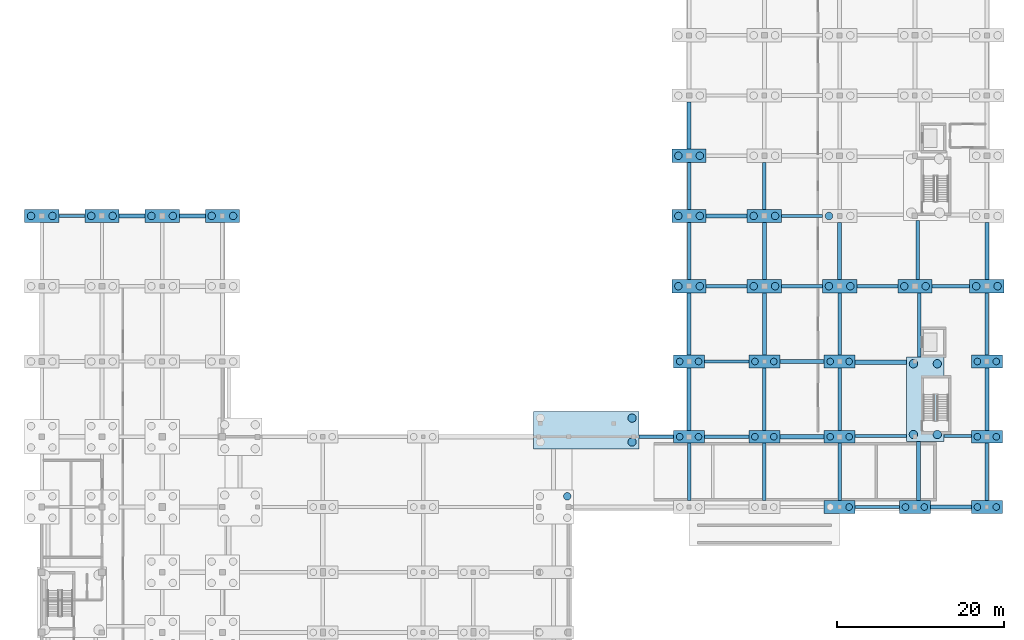
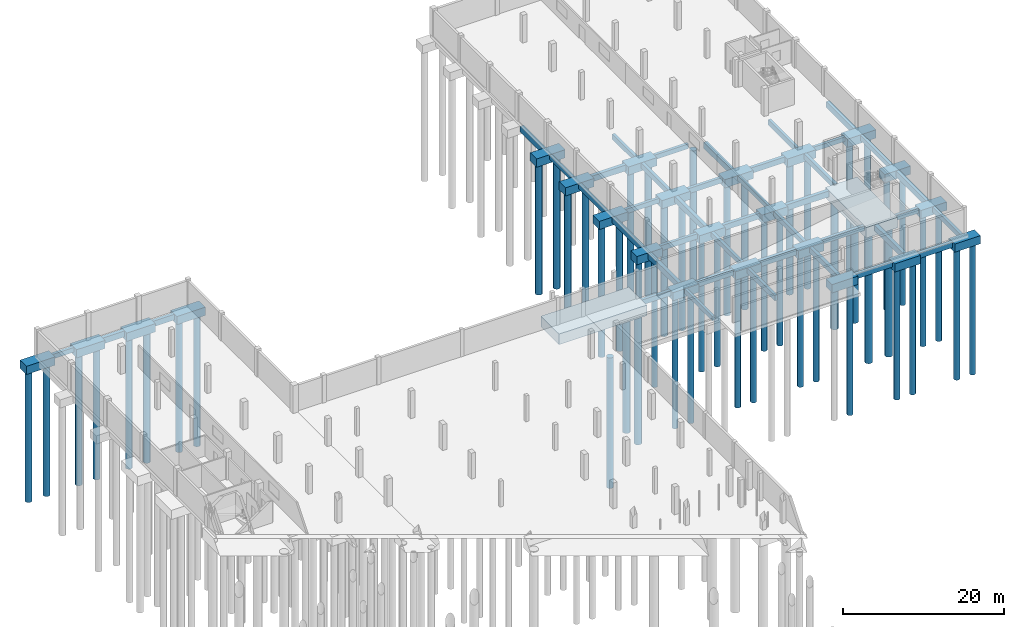
# One storey, part 5 of 34: 66 footings, 53 piles.
"""IFC4 building model written with IfcOpenShell, lengths in metres."""

from ifc_helpers import new_model, si_unit, direction, frame, origin, origin_2d, place, context, subcontext, project, spatial, rectangle, circle, extrude, material, material_profile, profile_set, type_object, element, save


model = new_model("IFC4")

# Units and contexts
model_context = context("Model", 3, precision=1e-05, world=origin(), true_north=direction((0.0, 1.0)))
body_context = subcontext(model_context, "Body", "Model", "MODEL_VIEW")
ifc_project = project(units=[si_unit("LENGTHUNIT", "METRE"), si_unit("AREAUNIT", "SQUARE_METRE"), si_unit("VOLUMEUNIT", "CUBIC_METRE"), si_unit("PLANEANGLEUNIT", "RADIAN"), si_unit("MASSUNIT", "GRAM", prefix="KILO")], contexts=[model_context])

# Site, building, storey
site_placement = place(None, origin())
site = spatial("IfcSite", under=ifc_project, at=site_placement, CompositionType="ELEMENT")
building_placement = place(site_placement, origin())
building = spatial("IfcBuilding", under=site, at=building_placement, Name="Vinh Khe Railworks Police Headquarters", CompositionType="ELEMENT")
storey_placement = place(building_placement, frame((0.0, 0.0, -4.199951171875)))
storey = spatial("IfcBuildingStorey", under=building, at=storey_placement, Name="B1", CompositionType="ELEMENT", Elevation=-4.199951171875)

# Piles
ifc_material = material(Name="Concrete C35/45 (B35)", Category="concrete")
ifc_material_profile_1 = material_profile(ifc_material, circle(Radius=0.5, at=origin_2d()), Name="BORED PILE D1000")
ifc_profile_set_1 = profile_set([ifc_material_profile_1], Name="Concrete C35/45 (B35)")
pile_type_1 = type_object("IfcPileType", Name="Bored Pile D1000", PredefinedType="BORED", material=ifc_profile_set_1)
for number, where, z_axis, x_axis, name in (
    (1, (71.179931640625, 103.77001953125, -1.949951171875), (0.0, 0.0, -1.0), (1.0, 0.0, 0.0), "Bored Pile BP100-257"),
    (2, (71.179931640625, 106.6298828125, -1.949951171875), (0.0, 0.0, -1.0), (1.0, 0.0, 0.0), "Bored Pile BP100-258"),
    (3, (104.820068359375, 104.669921875, -1.949951171875), (0.0, 0.0, -1.0), (1.0, 0.0, 0.0), "Bored Pile BP100-321"),
    (4, (104.820068359375, 113.1298828125, -1.949951171875), (0.0, 0.0, -1.0), (1.0, 0.0, 0.0), "Bored Pile BP100-322"),
    (5, (107.679931640625, 104.669921875, -1.949951171875), (0.0, 0.0, -1.0), (1.0, 0.0, 0.0), "Bored Pile BP100-323"),
    (6, (107.679931640625, 113.1298828125, -1.949951171875), (0.0, 0.0, -1.0), (1.0, 0.0, 0.0), "Bored Pile BP100-324"),
):
    element("IfcPile", number, at=place(storey_placement, frame(where, z_axis=z_axis, x_axis=x_axis)), inside=storey, type_object=pile_type_1, Name=name, PredefinedType="BORED", context=body_context, shape_type="SweptSolid", body=[
        extrude(circle(Radius=0.5, at=origin_2d()), origin(), (0.0, 0.0, 1.0), 19.60009765625),
    ])
ifc_material_profile_2 = material_profile(ifc_material, circle(Radius=0.39990234375, at=origin_2d()), Name="BORED PILE D800")
ifc_profile_set_2 = profile_set([ifc_material_profile_2], Name="Concrete C35/45 (B35)")
pile_type_2 = type_object("IfcPileType", Name="Bored Pile D800", PredefinedType="BORED", material=ifc_profile_set_2)
for number, where, z_axis, x_axis, name in (
    (7, (76.8701171875, 104.39990234375, -1.60009765625), (0.0, 0.0, -1.0), (1.0, 0.0, 0.0), "Bored Pile BP80-261"),
    (8, (79.1298828125, 104.39990234375, -1.60009765625), (0.0, 0.0, -1.0), (1.0, 0.0, 0.0), "Bored Pile BP80-262"),
    (9, (76.8701171875, 113.39990234375, -1.60009765625), (0.0, 0.0, -1.0), (1.0, 0.0, 0.0), "Bored Pile BP80-263"),
    (10, (79.1298828125, 113.39990234375, -1.60009765625), (0.0, 0.0, -1.0), (1.0, 0.0, 0.0), "Bored Pile BP80-264"),
    (11, (85.8701171875, 104.39990234375, -1.60009765625), (0.0, 0.0, -1.0), (1.0, 0.0, 0.0), "Bored Pile BP80-281"),
    (12, (88.1298828125, 104.39990234375, -1.60009765625), (0.0, 0.0, -1.0), (1.0, 0.0, 0.0), "Bored Pile BP80-282"),
    (13, (85.8701171875, 113.39990234375, -1.60009765625), (0.0, 0.0, -1.0), (1.0, 0.0, 0.0), "Bored Pile BP80-283"),
    (14, (88.1298828125, 113.39990234375, -1.60009765625), (0.0, 0.0, -1.0), (1.0, 0.0, 0.0), "Bored Pile BP80-284"),
    (15, (97.1298828125, 96.0, -1.60009765625), (0.0, 0.0, -1.0), (1.0, 0.0, 0.0), "Bored Pile BP80-300"),
    (16, (94.8701171875, 104.39990234375, -1.60009765625), (0.0, 0.0, -1.0), (1.0, 0.0, 0.0), "Bored Pile BP80-301"),
    (17, (97.1298828125, 104.39990234375, -1.60009765625), (0.0, 0.0, -1.0), (1.0, 0.0, 0.0), "Bored Pile BP80-302"),
    (18, (94.8701171875, 113.39990234375, -1.60009765625), (0.0, 0.0, -1.0), (1.0, 0.0, 0.0), "Bored Pile BP80-303"),
    (19, (97.1298828125, 113.39990234375, -1.60009765625), (0.0, 0.0, -1.0), (1.0, 0.0, 0.0), "Bored Pile BP80-304"),
    (20, (103.8701171875, 96.0, -1.60009765625), (0.0, 0.0, -1.0), (1.0, 0.0, 0.0), "Bored Pile BP80-319"),
    (21, (106.1298828125, 96.0, -1.60009765625), (0.0, 0.0, -1.0), (1.0, 0.0, 0.0), "Bored Pile BP80-320"),
    (22, (112.469970703125, 96.0, -1.60009765625), (0.0, 0.0, -1.0), (1.0, 0.0, 0.0), "Bored Pile BP80-339"),
    (23, (114.72998046875, 96.0, -1.60009765625), (0.0, 0.0, -1.0), (1.0, 0.0, 0.0), "Bored Pile BP80-340"),
    (24, (112.469970703125, 104.39990234375, -1.60009765625), (0.0, 0.0, -1.0), (1.0, 0.0, 0.0), "Bored Pile BP80-341"),
    (25, (114.72998046875, 104.39990234375, -1.60009765625), (0.0, 0.0, -1.0), (1.0, 0.0, 0.0), "Bored Pile BP80-342"),
    (26, (112.469970703125, 113.39990234375, -1.60009765625), (0.0, 0.0, -1.0), (1.0, 0.0, 0.0), "Bored Pile BP80-343"),
    (27, (114.72998046875, 113.39990234375, -1.60009765625), (0.0, 0.0, -1.0), (1.0, 0.0, 0.0), "Bored Pile BP80-344"),
):
    element("IfcPile", number, at=place(storey_placement, frame(where, z_axis=z_axis, x_axis=x_axis)), inside=storey, type_object=pile_type_2, Name=name, PredefinedType="BORED", context=body_context, shape_type="SweptSolid", body=[
        extrude(circle(Radius=0.39990234375, at=origin_2d()), origin(), (0.0, 0.0, 1.0), 19.949951171875),
    ])
ifc_material_profile_3 = material_profile(ifc_material, circle(Radius=0.449951171875, at=origin_2d()), Name="BORED PILE D900")
ifc_profile_set_3 = profile_set([ifc_material_profile_3], Name="Concrete C35/45 (B35)")
pile_type_3 = type_object("IfcPileType", Name="Bored Pile D900", PredefinedType="BORED", material=ifc_profile_set_3)
for number, where, z_axis, x_axis, name in (
    (28, (-0.679931640625, 130.800048828125, -1.60009765625), (0.0, 0.0, -1.0), (1.0, 0.0, 0.0), "Bored Pile BP90-047"),
    (29, (1.8798828125, 130.800048828125, -1.60009765625), (0.0, 0.0, -1.0), (1.0, 0.0, 0.0), "Bored Pile BP90-048"),
    (30, (6.52001953125, 130.800048828125, -1.60009765625), (0.0, 0.0, -1.0), (1.0, 0.0, 0.0), "Bored Pile BP90-087"),
    (31, (9.080078125, 130.800048828125, -1.60009765625), (0.0, 0.0, -1.0), (1.0, 0.0, 0.0), "Bored Pile BP90-088"),
    (32, (13.719970703125, 130.800048828125, -1.60009765625), (0.0, 0.0, -1.0), (1.0, 0.0, 0.0), "Bored Pile BP90-143"),
    (33, (16.280029296875, 130.800048828125, -1.60009765625), (0.0, 0.0, -1.0), (1.0, 0.0, 0.0), "Bored Pile BP90-144"),
    (34, (20.919921875, 130.800048828125, -1.60009765625), (0.0, 0.0, -1.0), (1.0, 0.0, 0.0), "Bored Pile BP90-185"),
    (35, (23.47998046875, 130.800048828125, -1.60009765625), (0.0, 0.0, -1.0), (1.0, 0.0, 0.0), "Bored Pile BP90-186"),
):
    element("IfcPile", number, at=place(storey_placement, frame(where, z_axis=z_axis, x_axis=x_axis)), inside=storey, type_object=pile_type_3, Name=name, PredefinedType="BORED", context=body_context, shape_type="SweptSolid", body=[
        extrude(circle(Radius=0.449951171875, at=origin_2d()), origin(), (0.0, 0.0, 1.0), 19.949951171875),
    ])
pile_placement = place(storey_placement, frame((63.429931640625, 97.280029296875, -1.75), z_axis=(0.0, 0.0, -1.0), x_axis=(1.0, 0.0, 0.0)))
element("IfcPile", 36, at=pile_placement, inside=storey, type_object=pile_type_3, Name="Bored Pile BP90-254", PredefinedType="BORED", context=body_context, shape_type="SweptSolid", body=[
    extrude(circle(Radius=0.449951171875, at=origin_2d()), origin(), (0.0, 0.0, 1.0), 19.800048828125),
])
for number, where, z_axis, x_axis, name in (
    (37, (76.719970703125, 122.39990234375, -1.60009765625), (0.0, 0.0, -1.0), (1.0, 0.0, 0.0), "Bored Pile BP90-265"),
    (38, (79.280029296875, 122.39990234375, -1.60009765625), (0.0, 0.0, -1.0), (1.0, 0.0, 0.0), "Bored Pile BP90-266"),
    (39, (76.719970703125, 130.800048828125, -1.60009765625), (0.0, 0.0, -1.0), (1.0, 0.0, 0.0), "Bored Pile BP90-267"),
    (40, (79.280029296875, 130.800048828125, -1.60009765625), (0.0, 0.0, -1.0), (1.0, 0.0, 0.0), "Bored Pile BP90-268"),
    (41, (76.719970703125, 138.0, -1.60009765625), (0.0, 0.0, -1.0), (1.0, 0.0, 0.0), "Bored Pile BP90-269"),
    (42, (79.280029296875, 138.0, -1.60009765625), (0.0, 0.0, -1.0), (1.0, 0.0, 0.0), "Bored Pile BP90-270"),
    (43, (85.719970703125, 122.39990234375, -1.60009765625), (0.0, 0.0, -1.0), (1.0, 0.0, 0.0), "Bored Pile BP90-285"),
    (44, (88.280029296875, 122.39990234375, -1.60009765625), (0.0, 0.0, -1.0), (1.0, 0.0, 0.0), "Bored Pile BP90-286"),
    (45, (85.719970703125, 130.800048828125, -1.60009765625), (0.0, 0.0, -1.0), (1.0, 0.0, 0.0), "Bored Pile BP90-287"),
    (46, (88.280029296875, 130.800048828125, -1.60009765625), (0.0, 0.0, -1.0), (1.0, 0.0, 0.0), "Bored Pile BP90-288"),
    (47, (94.719970703125, 122.39990234375, -1.60009765625), (0.0, 0.0, -1.0), (1.0, 0.0, 0.0), "Bored Pile BP90-305"),
    (48, (97.280029296875, 122.39990234375, -1.60009765625), (0.0, 0.0, -1.0), (1.0, 0.0, 0.0), "Bored Pile BP90-306"),
    (49, (94.719970703125, 130.800048828125, -1.60009765625), (0.0, 0.0, -1.0), (1.0, 0.0, 0.0), "Bored Pile BP90-307"),
    (50, (103.719970703125, 122.39990234375, -1.60009765625), (0.0, 0.0, -1.0), (1.0, 0.0, 0.0), "Bored Pile BP90-325"),
    (51, (106.280029296875, 122.39990234375, -1.60009765625), (0.0, 0.0, -1.0), (1.0, 0.0, 0.0), "Bored Pile BP90-326"),
    (52, (112.320068359375, 122.39990234375, -1.60009765625), (0.0, 0.0, -1.0), (1.0, 0.0, 0.0), "Bored Pile BP90-345"),
    (53, (114.8798828125, 122.39990234375, -1.60009765625), (0.0, 0.0, -1.0), (1.0, 0.0, 0.0), "Bored Pile BP90-346"),
):
    element("IfcPile", number, at=place(storey_placement, frame(where, z_axis=z_axis, x_axis=x_axis)), inside=storey, type_object=pile_type_3, Name=name, PredefinedType="BORED", context=body_context, shape_type="SweptSolid", body=[
        extrude(circle(Radius=0.449951171875, at=origin_2d()), origin(), (0.0, 0.0, 1.0), 19.949951171875),
    ])

# Footings
ifc_material_profile_4 = material_profile(ifc_material, rectangle(XDim=0.39990234375, YDim=0.699951171875, at=origin_2d()), Name="RC 400x700")
ifc_profile_set_4 = profile_set([ifc_material_profile_4], Name="Concrete C35/45 (B35)")
footing_type_1 = type_object("IfcFootingType", Name="Ground Tie Beam 400x700", PredefinedType="FOOTING_BEAM", material=ifc_profile_set_4)
footing_1_placement = place(storey_placement, frame((2.64990234375, 130.800048828125, -0.800048828125), z_axis=(1.0, 0.0, 0.0), x_axis=(0.0, 1.0, 0.0)))
element("IfcFooting", 54, at=footing_1_placement, inside=storey, type_object=footing_type_1, Name="Ground Tie Beam FTG-GB-B1-X027", PredefinedType="FOOTING_BEAM", context=body_context, shape_type="SweptSolid", body=[
    extrude(rectangle(XDim=0.39990234375, YDim=0.699951171875, at=origin_2d()), origin(), (0.0, 0.0, 1.0), 3.10009765625),
])
footing_2_placement = place(storey_placement, frame((78.0, 96.75, -0.800048828125), z_axis=(0.0, 1.0, 0.0), x_axis=(-1.0, 0.0, 0.0)))
element("IfcFooting", 55, at=footing_2_placement, inside=storey, type_object=footing_type_1, Name="Ground Tie Beam FTG-GB-B1-Y149", PredefinedType="FOOTING_BEAM", context=body_context, shape_type="SweptSolid", body=[
    extrude(rectangle(XDim=0.39990234375, YDim=0.699951171875, at=origin_2d()), origin(), (0.0, 0.0, 1.0), 6.89990234375),
])
footing_3_placement = place(storey_placement, frame((80.050048828125, 122.39990234375, -0.800048828125), z_axis=(1.0, 0.0, 0.0), x_axis=(0.0, 1.0, 0.0)))
element("IfcFooting", 56, at=footing_3_placement, inside=storey, type_object=footing_type_1, Name="Ground Tie Beam FTG-GB-B1-X154", PredefinedType="FOOTING_BEAM", context=body_context, shape_type="SweptSolid", body=[
    extrude(rectangle(XDim=0.39990234375, YDim=0.699951171875, at=origin_2d()), origin(), (0.0, 0.0, 1.0), 4.89990234375),
])
footing_4_placement = place(storey_placement, frame((78.0, 131.60009765625, -0.800048828125), z_axis=(0.0, 1.0, 0.0), x_axis=(-1.0, 0.0, 0.0)))
element("IfcFooting", 57, at=footing_4_placement, inside=storey, type_object=footing_type_1, Name="Ground Tie Beam FTG-GB-B1-Y157", PredefinedType="FOOTING_BEAM", context=body_context, shape_type="SweptSolid", body=[
    extrude(rectangle(XDim=0.39990234375, YDim=0.699951171875, at=origin_2d()), origin(), (0.0, 0.0, 1.0), 5.599853515625),
])
footing_5_placement = place(storey_placement, frame((87.0, 105.14990234375, -0.800048828125), z_axis=(0.0, 1.0, 0.0), x_axis=(-1.0, 0.0, 0.0)))
element("IfcFooting", 58, at=footing_5_placement, inside=storey, type_object=footing_type_1, Name="Ground Tie Beam FTG-GB-B1-Y170", PredefinedType="FOOTING_BEAM", context=body_context, shape_type="SweptSolid", body=[
    extrude(rectangle(XDim=0.39990234375, YDim=0.699951171875, at=origin_2d()), origin(), (0.0, 0.0, 1.0), 7.5),
])
footing_6_placement = place(storey_placement, frame((89.050048828125, 130.800048828125, -0.800048828125), z_axis=(1.0, 0.0, 0.0), x_axis=(0.0, 1.0, 0.0)))
element("IfcFooting", 59, at=footing_6_placement, inside=storey, type_object=footing_type_1, Name="Ground Tie Beam FTG-GB-B1-X175", PredefinedType="FOOTING_BEAM", context=body_context, shape_type="SweptSolid", body=[
    extrude(rectangle(XDim=0.39990234375, YDim=0.699951171875, at=origin_2d()), origin(), (0.0, 0.0, 1.0), 4.89990234375),
])
footing_7_placement = place(storey_placement, frame((97.85009765625, 104.5, -0.800048828125), z_axis=(1.0, 0.0, 0.0), x_axis=(0.0, 1.0, 0.0)))
element("IfcFooting", 60, at=footing_7_placement, inside=storey, type_object=footing_type_1, Name="Ground Tie Beam FTG-GB-B1-X188", PredefinedType="FOOTING_BEAM", context=body_context, shape_type="SweptSolid", body=[
    extrude(rectangle(XDim=0.39990234375, YDim=0.699951171875, at=origin_2d()), origin(), (0.0, 0.0, 1.0), 6.14990234375),
])
footing_8_placement = place(storey_placement, frame((96.0, 114.14990234375, -0.800048828125), z_axis=(0.0, 1.0, 0.0), x_axis=(-1.0, 0.0, 0.0)))
element("IfcFooting", 61, at=footing_8_placement, inside=storey, type_object=footing_type_1, Name="Ground Tie Beam FTG-GB-B1-Y191", PredefinedType="FOOTING_BEAM", context=body_context, shape_type="SweptSolid", body=[
    extrude(rectangle(XDim=0.39990234375, YDim=0.699951171875, at=origin_2d()), origin(), (0.0, 0.0, 1.0), 7.4501953125),
])
footing_9_placement = place(storey_placement, frame((107.050048828125, 122.39990234375, -0.800048828125), z_axis=(1.0, 0.0, 0.0), x_axis=(0.0, 1.0, 0.0)))
element("IfcFooting", 62, at=footing_9_placement, inside=storey, type_object=footing_type_1, Name="Ground Tie Beam FTG-GB-B1-X209", PredefinedType="FOOTING_BEAM", context=body_context, shape_type="SweptSolid", body=[
    extrude(rectangle(XDim=0.39990234375, YDim=0.699951171875, at=origin_2d()), origin(), (0.0, 0.0, 1.0), 4.5),
])
ifc_material_profile_5 = material_profile(ifc_material, rectangle(XDim=0.39990234375, YDim=0.800048828125, at=origin_2d()), Name="RC 400x800")
ifc_profile_set_5 = profile_set([ifc_material_profile_5], Name="Concrete C35/45 (B35)")
footing_type_2 = type_object("IfcFootingType", Name="Ground Tie Beam 400x800", PredefinedType="FOOTING_BEAM", material=ifc_profile_set_5)
footing_10_placement = place(storey_placement, frame((72.0, 104.39990234375, -0.85009765625), z_axis=(1.0, 0.0, 0.0), x_axis=(0.0, 1.0, 0.0)))
element("IfcFooting", 63, at=footing_10_placement, inside=storey, type_object=footing_type_2, Name="Ground Tie Beam FTG-GB-B1-X147", PredefinedType="FOOTING_BEAM", context=body_context, shape_type="SweptSolid", body=[
    extrude(rectangle(XDim=0.39990234375, YDim=0.800048828125, at=origin_2d()), origin(), (0.0, 0.0, 1.0), 4.14990234375),
])
footing_11_placement = place(storey_placement, frame((79.85009765625, 113.39990234375, -0.85009765625), z_axis=(1.0, 0.0, 0.0), x_axis=(0.0, 1.0, 0.0)))
element("IfcFooting", 64, at=footing_11_placement, inside=storey, type_object=footing_type_2, Name="Ground Tie Beam FTG-GB-B1-X152", PredefinedType="FOOTING_BEAM", context=body_context, shape_type="SweptSolid", body=[
    extrude(rectangle(XDim=0.39990234375, YDim=0.800048828125, at=origin_2d()), origin(), (0.0, 0.0, 1.0), 5.2998046875),
])
footing_12_placement = place(storey_placement, frame((78.0, 123.199951171875, -0.85009765625), z_axis=(0.0, 1.0, 0.0), x_axis=(-1.0, 0.0, 0.0)))
element("IfcFooting", 65, at=footing_12_placement, inside=storey, type_object=footing_type_2, Name="Ground Tie Beam FTG-GB-B1-Y155", PredefinedType="FOOTING_BEAM", context=body_context, shape_type="SweptSolid", body=[
    extrude(rectangle(XDim=0.39990234375, YDim=0.800048828125, at=origin_2d()), origin(), (0.0, 0.0, 1.0), 6.800048828125),
])
footing_13_placement = place(storey_placement, frame((87.0, 96.75, -0.85009765625), z_axis=(0.0, 1.0, 0.0), x_axis=(-1.0, 0.0, 0.0)))
element("IfcFooting", 66, at=footing_13_placement, inside=storey, type_object=footing_type_2, Name="Ground Tie Beam FTG-GB-B1-Y168", PredefinedType="FOOTING_BEAM", context=body_context, shape_type="SweptSolid", body=[
    extrude(rectangle(XDim=0.39990234375, YDim=0.800048828125, at=origin_2d()), origin(), (0.0, 0.0, 1.0), 6.89990234375),
])
footing_14_placement = place(storey_placement, frame((89.050048828125, 122.39990234375, -0.85009765625), z_axis=(1.0, 0.0, 0.0), x_axis=(0.0, 1.0, 0.0)))
element("IfcFooting", 67, at=footing_14_placement, inside=storey, type_object=footing_type_2, Name="Ground Tie Beam FTG-GB-B1-X173", PredefinedType="FOOTING_BEAM", context=body_context, shape_type="SweptSolid", body=[
    extrude(rectangle(XDim=0.39990234375, YDim=0.800048828125, at=origin_2d()), origin(), (0.0, 0.0, 1.0), 4.89990234375),
])
footing_15_placement = place(storey_placement, frame((87.0, 131.60009765625, -0.85009765625), z_axis=(0.0, 1.0, 0.0), x_axis=(-1.0, 0.0, 0.0)))
element("IfcFooting", 68, at=footing_15_placement, inside=storey, type_object=footing_type_2, Name="Ground Tie Beam FTG-GB-B1-Y176", PredefinedType="FOOTING_BEAM", context=body_context, shape_type="SweptSolid", body=[
    extrude(rectangle(XDim=0.39990234375, YDim=0.800048828125, at=origin_2d()), origin(), (0.0, 0.0, 1.0), 5.599853515625),
])
footing_16_placement = place(storey_placement, frame((97.85009765625, 96.0, -0.85009765625), z_axis=(1.0, 0.0, 0.0), x_axis=(0.0, 1.0, 0.0)))
element("IfcFooting", 69, at=footing_16_placement, inside=storey, type_object=footing_type_2, Name="Ground Tie Beam FTG-GB-B1-X186", PredefinedType="FOOTING_BEAM", context=body_context, shape_type="SweptSolid", body=[
    extrude(rectangle(XDim=0.39990234375, YDim=0.800048828125, at=origin_2d()), origin(), (0.0, 0.0, 1.0), 5.2998046875),
])
footing_17_placement = place(storey_placement, frame((96.0, 105.14990234375, -0.85009765625), z_axis=(0.0, 1.0, 0.0), x_axis=(-1.0, 0.0, 0.0)))
element("IfcFooting", 70, at=footing_17_placement, inside=storey, type_object=footing_type_2, Name="Ground Tie Beam FTG-GB-B1-Y189", PredefinedType="FOOTING_BEAM", context=body_context, shape_type="SweptSolid", body=[
    extrude(rectangle(XDim=0.39990234375, YDim=0.800048828125, at=origin_2d()), origin(), (0.0, 0.0, 1.0), 7.5),
])
footing_18_placement = place(storey_placement, frame((108.5, 104.5, -0.85009765625), z_axis=(1.0, 0.0, 0.0), x_axis=(0.0, 1.0, 0.0)))
element("IfcFooting", 71, at=footing_18_placement, inside=storey, type_object=footing_type_2, Name="Ground Tie Beam FTG-GB-B1-X207", PredefinedType="FOOTING_BEAM", context=body_context, shape_type="SweptSolid", body=[
    extrude(rectangle(XDim=0.39990234375, YDim=0.800048828125, at=origin_2d()), origin(), (0.0, 0.0, 1.0), 3.25),
])
footing_19_placement = place(storey_placement, frame((105.35009765625, 123.199951171875, -0.85009765625), z_axis=(0.0, 1.0, 0.0), x_axis=(-1.0, 0.0, 0.0)))
element("IfcFooting", 72, at=footing_19_placement, inside=storey, type_object=footing_type_2, Name="Ground Tie Beam FTG-GB-B1-Y210", PredefinedType="FOOTING_BEAM", context=body_context, shape_type="SweptSolid", body=[
    extrude(rectangle(XDim=0.39990234375, YDim=0.800048828125, at=origin_2d()), origin(), (0.0, 0.0, 1.0), 7.050048828125),
])
footing_20_placement = place(storey_placement, frame((113.60009765625, 96.75, -0.85009765625), z_axis=(0.0, 1.0, 0.0), x_axis=(-1.0, 0.0, 0.0)))
element("IfcFooting", 73, at=footing_20_placement, inside=storey, type_object=footing_type_2, Name="Ground Tie Beam FTG-GB-B1-Y220", PredefinedType="FOOTING_BEAM", context=body_context, shape_type="SweptSolid", body=[
    extrude(rectangle(XDim=0.39990234375, YDim=0.800048828125, at=origin_2d()), origin(), (0.0, 0.0, 1.0), 6.89990234375),
])
footing_21_placement = place(storey_placement, frame((113.60009765625, 114.14990234375, -0.85009765625), z_axis=(0.0, 1.0, 0.0), x_axis=(-1.0, 0.0, 0.0)))
element("IfcFooting", 74, at=footing_21_placement, inside=storey, type_object=footing_type_2, Name="Ground Tie Beam FTG-GB-B1-Y222", PredefinedType="FOOTING_BEAM", context=body_context, shape_type="SweptSolid", body=[
    extrude(rectangle(XDim=0.39990234375, YDim=0.800048828125, at=origin_2d()), origin(), (0.0, 0.0, 1.0), 7.4501953125),
])
ifc_material_profile_6 = material_profile(ifc_material, rectangle(XDim=0.449951171875, YDim=0.85009765625, at=origin_2d()), Name="RC 450x850")
ifc_profile_set_6 = profile_set([ifc_material_profile_6], Name="Concrete C35/45 (B35)")
footing_type_3 = type_object("IfcFootingType", Name="Ground Tie Beam 450x850", PredefinedType="FOOTING_BEAM", material=ifc_profile_set_6)
footing_22_placement = place(storey_placement, frame((17.050048828125, 130.800048828125, -0.875), z_axis=(1.0, 0.0, 0.0), x_axis=(0.0, 1.0, 0.0)))
element("IfcFooting", 75, at=footing_22_placement, inside=storey, type_object=footing_type_3, Name="Ground Tie Beam FTG-GB-B1-X081", PredefinedType="FOOTING_BEAM", context=body_context, shape_type="SweptSolid", body=[
    extrude(rectangle(XDim=0.449951171875, YDim=0.85009765625, at=origin_2d()), origin(), (0.0, 0.0, 1.0), 3.099853515625),
])
footing_23_placement = place(storey_placement, frame((79.85009765625, 104.39990234375, -0.875), z_axis=(1.0, 0.0, 0.0), x_axis=(0.0, 1.0, 0.0)))
element("IfcFooting", 76, at=footing_23_placement, inside=storey, type_object=footing_type_3, Name="Ground Tie Beam FTG-GB-B1-X150", PredefinedType="FOOTING_BEAM", context=body_context, shape_type="SweptSolid", body=[
    extrude(rectangle(XDim=0.449951171875, YDim=0.85009765625, at=origin_2d()), origin(), (0.0, 0.0, 1.0), 5.2998046875),
])
footing_24_placement = place(storey_placement, frame((78.0, 114.14990234375, -0.875), z_axis=(0.0, 1.0, 0.0), x_axis=(-1.0, 0.0, 0.0)))
element("IfcFooting", 77, at=footing_24_placement, inside=storey, type_object=footing_type_3, Name="Ground Tie Beam FTG-GB-B1-Y153", PredefinedType="FOOTING_BEAM", context=body_context, shape_type="SweptSolid", body=[
    extrude(rectangle(XDim=0.449951171875, YDim=0.85009765625, at=origin_2d()), origin(), (0.0, 0.0, 1.0), 7.4501953125),
])
footing_25_placement = place(storey_placement, frame((88.85009765625, 113.39990234375, -0.875), z_axis=(1.0, 0.0, 0.0), x_axis=(0.0, 1.0, 0.0)))
element("IfcFooting", 78, at=footing_25_placement, inside=storey, type_object=footing_type_3, Name="Ground Tie Beam FTG-GB-B1-X171", PredefinedType="FOOTING_BEAM", context=body_context, shape_type="SweptSolid", body=[
    extrude(rectangle(XDim=0.449951171875, YDim=0.85009765625, at=origin_2d()), origin(), (0.0, 0.0, 1.0), 5.2998046875),
])
footing_26_placement = place(storey_placement, frame((87.0, 123.199951171875, -0.875), z_axis=(0.0, 1.0, 0.0), x_axis=(-1.0, 0.0, 0.0)))
element("IfcFooting", 79, at=footing_26_placement, inside=storey, type_object=footing_type_3, Name="Ground Tie Beam FTG-GB-B1-Y174", PredefinedType="FOOTING_BEAM", context=body_context, shape_type="SweptSolid", body=[
    extrude(rectangle(XDim=0.449951171875, YDim=0.85009765625, at=origin_2d()), origin(), (0.0, 0.0, 1.0), 6.800048828125),
])
footing_27_placement = place(storey_placement, frame((96.0, 96.75, -0.875), z_axis=(0.0, 1.0, 0.0), x_axis=(-1.0, 0.0, 0.0)))
element("IfcFooting", 80, at=footing_27_placement, inside=storey, type_object=footing_type_3, Name="Ground Tie Beam FTG-GB-B1-Y187", PredefinedType="FOOTING_BEAM", context=body_context, shape_type="SweptSolid", body=[
    extrude(rectangle(XDim=0.449951171875, YDim=0.85009765625, at=origin_2d()), origin(), (0.0, 0.0, 1.0), 6.89990234375),
])
for number, where, z_axis, x_axis, name in (
    (81, (98.050048828125, 122.39990234375, -0.875), (1.0, 0.0, 0.0), (0.0, 1.0, 0.0), "Ground Tie Beam FTG-GB-B1-X192"),
    (82, (106.85009765625, 96.0, -0.875), (1.0, 0.0, 0.0), (0.0, 1.0, 0.0), "Ground Tie Beam FTG-GB-B1-X205"),
):
    element("IfcFooting", number, at=place(storey_placement, frame(where, z_axis=z_axis, x_axis=x_axis)), inside=storey, type_object=footing_type_3, Name=name, PredefinedType="FOOTING_BEAM", context=body_context, shape_type="SweptSolid", body=[
        extrude(rectangle(XDim=0.449951171875, YDim=0.85009765625, at=origin_2d()), origin(), (0.0, 0.0, 1.0), 4.89990234375),
    ])
footing_28_placement = place(storey_placement, frame((105.52490234375, 113.949951171875, -0.875), z_axis=(0.0, 1.0, 0.0), x_axis=(-1.0, 0.0, 0.0)))
element("IfcFooting", 83, at=footing_28_placement, inside=storey, type_object=footing_type_3, Name="Ground Tie Beam FTG-GB-B1-Y208", PredefinedType="FOOTING_BEAM", context=body_context, shape_type="SweptSolid", body=[
    extrude(rectangle(XDim=0.449951171875, YDim=0.85009765625, at=origin_2d()), origin(), (0.0, 0.0, 1.0), 7.650146484375),
])
ifc_material_profile_7 = material_profile(ifc_material, rectangle(XDim=0.5, YDim=0.89990234375, at=origin_2d()), Name="RC 500x900")
ifc_profile_set_7 = profile_set([ifc_material_profile_7], Name="Concrete C35/45 (B35)")
footing_type_4 = type_object("IfcFootingType", Name="Ground Tie Beam 500x900", PredefinedType="FOOTING_BEAM", material=ifc_profile_set_7)
footing_29_placement = place(storey_placement, frame((9.85009765625, 130.800048828125, -0.900146484375), z_axis=(1.0, 0.0, 0.0), x_axis=(0.0, 1.0, 0.0)))
element("IfcFooting", 84, at=footing_29_placement, inside=storey, type_object=footing_type_4, Name="Ground Tie Beam FTG-GB-B1-X050", PredefinedType="FOOTING_BEAM", context=body_context, shape_type="SweptSolid", body=[
    extrude(rectangle(XDim=0.5, YDim=0.89990234375, at=origin_2d()), origin(), (0.0, 0.0, 1.0), 3.099853515625),
])
footing_30_placement = place(storey_placement, frame((78.0, 105.14990234375, -0.900146484375), z_axis=(0.0, 1.0, 0.0), x_axis=(-1.0, 0.0, 0.0)))
element("IfcFooting", 85, at=footing_30_placement, inside=storey, type_object=footing_type_4, Name="Ground Tie Beam FTG-GB-B1-Y151", PredefinedType="FOOTING_BEAM", context=body_context, shape_type="SweptSolid", body=[
    extrude(rectangle(XDim=0.5, YDim=0.89990234375, at=origin_2d()), origin(), (0.0, 0.0, 1.0), 7.5),
])
footing_31_placement = place(storey_placement, frame((80.050048828125, 130.800048828125, -0.900146484375), z_axis=(1.0, 0.0, 0.0), x_axis=(0.0, 1.0, 0.0)))
element("IfcFooting", 86, at=footing_31_placement, inside=storey, type_object=footing_type_4, Name="Ground Tie Beam FTG-GB-B1-X156", PredefinedType="FOOTING_BEAM", context=body_context, shape_type="SweptSolid", body=[
    extrude(rectangle(XDim=0.5, YDim=0.89990234375, at=origin_2d()), origin(), (0.0, 0.0, 1.0), 4.89990234375),
])
footing_32_placement = place(storey_placement, frame((78.0, 138.800048828125, -0.900146484375), z_axis=(0.0, 1.0, 0.0), x_axis=(-1.0, 0.0, 0.0)))
element("IfcFooting", 87, at=footing_32_placement, inside=storey, type_object=footing_type_4, Name="Ground Tie Beam FTG-GB-B1-Y159", PredefinedType="FOOTING_BEAM", context=body_context, shape_type="SweptSolid", body=[
    extrude(rectangle(XDim=0.5, YDim=0.89990234375, at=origin_2d()), origin(), (0.0, 0.0, 1.0), 5.599853515625),
])
footing_33_placement = place(storey_placement, frame((88.85009765625, 104.39990234375, -0.900146484375), z_axis=(1.0, 0.0, 0.0), x_axis=(0.0, 1.0, 0.0)))
element("IfcFooting", 88, at=footing_33_placement, inside=storey, type_object=footing_type_4, Name="Ground Tie Beam FTG-GB-B1-X169", PredefinedType="FOOTING_BEAM", context=body_context, shape_type="SweptSolid", body=[
    extrude(rectangle(XDim=0.5, YDim=0.89990234375, at=origin_2d()), origin(), (0.0, 0.0, 1.0), 5.2998046875),
])
footing_34_placement = place(storey_placement, frame((87.0, 114.14990234375, -0.900146484375), z_axis=(0.0, 1.0, 0.0), x_axis=(-1.0, 0.0, 0.0)))
element("IfcFooting", 89, at=footing_34_placement, inside=storey, type_object=footing_type_4, Name="Ground Tie Beam FTG-GB-B1-Y172", PredefinedType="FOOTING_BEAM", context=body_context, shape_type="SweptSolid", body=[
    extrude(rectangle(XDim=0.5, YDim=0.89990234375, at=origin_2d()), origin(), (0.0, 0.0, 1.0), 7.4501953125),
])
footing_35_placement = place(storey_placement, frame((97.85009765625, 113.300048828125, -0.900146484375), z_axis=(1.0, 0.0, 0.0), x_axis=(0.0, 1.0, 0.0)))
element("IfcFooting", 90, at=footing_35_placement, inside=storey, type_object=footing_type_4, Name="Ground Tie Beam FTG-GB-B1-X190", PredefinedType="FOOTING_BEAM", context=body_context, shape_type="SweptSolid", body=[
    extrude(rectangle(XDim=0.5, YDim=0.89990234375, at=origin_2d()), origin(), (0.0, 0.0, 1.0), 6.14990234375),
])
footing_36_placement = place(storey_placement, frame((96.0, 123.199951171875, -0.900146484375), z_axis=(0.0, 1.0, 0.0), x_axis=(-1.0, 0.0, 0.0)))
element("IfcFooting", 91, at=footing_36_placement, inside=storey, type_object=footing_type_4, Name="Ground Tie Beam FTG-GB-B1-Y193", PredefinedType="FOOTING_BEAM", context=body_context, shape_type="SweptSolid", body=[
    extrude(rectangle(XDim=0.5, YDim=0.89990234375, at=origin_2d()), origin(), (0.0, 0.0, 1.0), 6.800048828125),
])
footing_37_placement = place(storey_placement, frame((105.425048828125, 96.75, -0.900146484375), z_axis=(0.0, 1.0, 0.0), x_axis=(-1.0, 0.0, 0.0)))
element("IfcFooting", 92, at=footing_37_placement, inside=storey, type_object=footing_type_4, Name="Ground Tie Beam FTG-GB-B1-Y206", PredefinedType="FOOTING_BEAM", context=body_context, shape_type="SweptSolid", body=[
    extrude(rectangle(XDim=0.5, YDim=0.89990234375, at=origin_2d()), origin(), (0.0, 0.0, 1.0), 7.10009765625),
])
footing_38_placement = place(storey_placement, frame((113.60009765625, 105.14990234375, -0.900146484375), z_axis=(0.0, 1.0, 0.0), x_axis=(-1.0, 0.0, 0.0)))
element("IfcFooting", 93, at=footing_38_placement, inside=storey, type_object=footing_type_4, Name="Ground Tie Beam FTG-GB-B1-Y221", PredefinedType="FOOTING_BEAM", context=body_context, shape_type="SweptSolid", body=[
    extrude(rectangle(XDim=0.5, YDim=0.89990234375, at=origin_2d()), origin(), (0.0, 0.0, 1.0), 7.5),
])
footing_39_placement = place(storey_placement, frame((113.60009765625, 123.199951171875, -0.900146484375), z_axis=(0.0, 1.0, 0.0), x_axis=(-1.0, 0.0, 0.0)))
element("IfcFooting", 94, at=footing_39_placement, inside=storey, type_object=footing_type_4, Name="Ground Tie Beam FTG-GB-B1-Y223", PredefinedType="FOOTING_BEAM", context=body_context, shape_type="SweptSolid", body=[
    extrude(rectangle(XDim=0.5, YDim=0.89990234375, at=origin_2d()), origin(), (0.0, 0.0, 1.0), 6.800048828125),
])
footing_type_5 = type_object("IfcFootingType", Name="Pile Cap 12600x4500x1600", PredefinedType="PILE_CAP", material=ifc_material)
footing_40_placement = place(storey_placement, frame((65.699951171875, 105.199951171875, -2.050048828125), z_axis=(0.0, 0.0, 1.0), x_axis=(1.0, 0.0, 0.0)))
element("IfcFooting", 95, at=footing_40_placement, inside=storey, type_object=footing_type_5, Name="Pile Cap PC-083", PredefinedType="PILE_CAP", context=body_context, shape_type="SweptSolid", body=[
    extrude(rectangle(XDim=12.60009765625, YDim=4.5, at=origin_2d()), origin(), (0.0, 0.0, 1.0), 1.60009765625),
])
footing_type_6 = type_object("IfcFootingType", Name="Pile Cap 3700x1500x1250", PredefinedType="PILE_CAP", material=ifc_material)
for number, where, z_axis, x_axis, name in (
    (96, (78.0, 104.39990234375, -1.699951171875), (0.0, 0.0, 1.0), (1.0, 0.0, 0.0), "Pile Cap PC-085"),
    (97, (78.0, 113.39990234375, -1.699951171875), (0.0, 0.0, 1.0), (1.0, 0.0, 0.0), "Pile Cap PC-086"),
    (98, (87.0, 104.39990234375, -1.699951171875), (0.0, 0.0, 1.0), (1.0, 0.0, 0.0), "Pile Cap PC-095"),
    (99, (87.0, 113.39990234375, -1.699951171875), (0.0, 0.0, 1.0), (1.0, 0.0, 0.0), "Pile Cap PC-096"),
    (100, (96.0, 96.0, -1.699951171875), (0.0, 0.0, 1.0), (1.0, 0.0, 0.0), "Pile Cap PC-104"),
    (101, (96.0, 104.39990234375, -1.699951171875), (0.0, 0.0, 1.0), (1.0, 0.0, 0.0), "Pile Cap PC-105"),
    (102, (96.0, 113.39990234375, -1.699951171875), (0.0, 0.0, 1.0), (1.0, 0.0, 0.0), "Pile Cap PC-106"),
    (103, (105.0, 96.0, -1.699951171875), (0.0, 0.0, 1.0), (1.0, 0.0, 0.0), "Pile Cap PC-114"),
    (104, (113.60009765625, 96.0, -1.699951171875), (0.0, 0.0, 1.0), (1.0, 0.0, 0.0), "Pile Cap PC-122"),
    (105, (113.60009765625, 104.39990234375, -1.699951171875), (0.0, 0.0, 1.0), (1.0, 0.0, 0.0), "Pile Cap PC-123"),
    (106, (113.60009765625, 113.39990234375, -1.699951171875), (0.0, 0.0, 1.0), (1.0, 0.0, 0.0), "Pile Cap PC-124"),
):
    element("IfcFooting", number, at=place(storey_placement, frame(where, z_axis=z_axis, x_axis=x_axis)), inside=storey, type_object=footing_type_6, Name=name, PredefinedType="PILE_CAP", context=body_context, shape_type="SweptSolid", body=[
        extrude(rectangle(XDim=3.699951171875, YDim=1.5, at=origin_2d()), origin(), (0.0, 0.0, 1.0), 1.25),
    ])
footing_type_7 = type_object("IfcFootingType", Name="Pile Cap 4100x1600x1250", PredefinedType="PILE_CAP", material=ifc_material)
for number, where, z_axis, x_axis, name in (
    (107, (0.60009765625, 130.800048828125, -1.699951171875), (0.0, 0.0, 1.0), (1.0, 0.0, 0.0), "Pile Cap PC-014"),
    (108, (7.800048828125, 130.800048828125, -1.699951171875), (0.0, 0.0, 1.0), (1.0, 0.0, 0.0), "Pile Cap PC-026"),
    (109, (15.0, 130.800048828125, -1.699951171875), (0.0, 0.0, 1.0), (1.0, 0.0, 0.0), "Pile Cap PC-042"),
    (110, (22.199951171875, 130.800048828125, -1.699951171875), (0.0, 0.0, 1.0), (1.0, 0.0, 0.0), "Pile Cap PC-054"),
    (111, (78.0, 122.39990234375, -1.699951171875), (0.0, 0.0, 1.0), (1.0, 0.0, 0.0), "Pile Cap PC-087"),
    (112, (78.0, 130.800048828125, -1.699951171875), (0.0, 0.0, 1.0), (1.0, 0.0, 0.0), "Pile Cap PC-088"),
    (113, (78.0, 138.0, -1.699951171875), (0.0, 0.0, 1.0), (1.0, 0.0, 0.0), "Pile Cap PC-089"),
    (114, (87.0, 122.39990234375, -1.699951171875), (0.0, 0.0, 1.0), (1.0, 0.0, 0.0), "Pile Cap PC-097"),
    (115, (87.0, 130.800048828125, -1.699951171875), (0.0, 0.0, 1.0), (1.0, 0.0, 0.0), "Pile Cap PC-098"),
    (116, (96.0, 122.39990234375, -1.699951171875), (0.0, 0.0, 1.0), (1.0, 0.0, 0.0), "Pile Cap PC-107"),
    (117, (105.0, 122.39990234375, -1.699951171875), (0.0, 0.0, 1.0), (1.0, 0.0, 0.0), "Pile Cap PC-116"),
    (118, (113.60009765625, 122.39990234375, -1.699951171875), (0.0, 0.0, 1.0), (1.0, 0.0, 0.0), "Pile Cap PC-125"),
):
    element("IfcFooting", number, at=place(storey_placement, frame(where, z_axis=z_axis, x_axis=x_axis)), inside=storey, type_object=footing_type_7, Name=name, PredefinedType="PILE_CAP", context=body_context, shape_type="SweptSolid", body=[
        extrude(rectangle(XDim=4.10009765625, YDim=1.60009765625, at=origin_2d()), origin(), (0.0, 0.0, 1.0), 1.25),
    ])
footing_type_8 = type_object("IfcFootingType", Name="Pile Cap 4500x10100x1600", PredefinedType="PILE_CAP", material=ifc_material)
footing_41_placement = place(storey_placement, frame((106.25, 108.89990234375, -2.050048828125), z_axis=(0.0, 0.0, 1.0), x_axis=(1.0, 0.0, 0.0)))
element("IfcFooting", 119, at=footing_41_placement, inside=storey, type_object=footing_type_8, Name="Pile Cap PC-115", PredefinedType="PILE_CAP", context=body_context, shape_type="SweptSolid", body=[
    extrude(rectangle(XDim=4.5, YDim=10.10009765625, at=origin_2d()), origin(), (0.0, 0.0, 1.0), 1.60009765625),
])

save(model, "model.ifc")
